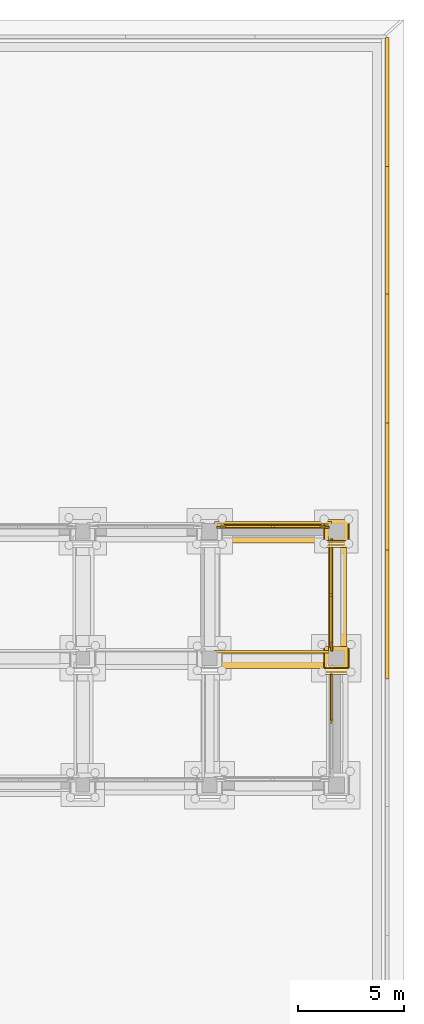
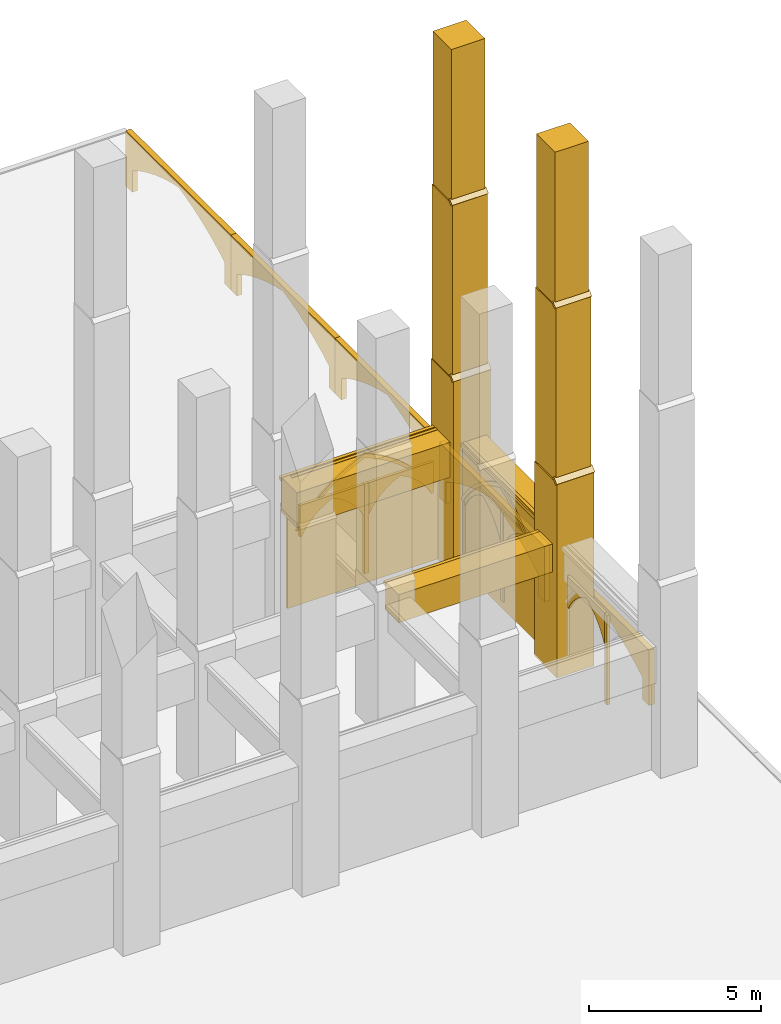
# One storey, part 133 of 135: 35 coverings.
"""IFC4 building model written with IfcOpenShell, lengths in metres."""

from ifc_helpers import new_model, si_unit, direction, frame, origin, origin_2d, place, context, subcontext, project, spatial, polyline, rectangle, outline, extrude, material, type_object, element, save


model = new_model("IFC4")

# Units and contexts
model_context = context("Model", 3, precision=1e-05, world=origin(), true_north=direction((0.0, 1.0)))
body_context = subcontext(model_context, "Body", "Model", "MODEL_VIEW")
ifc_project = project(units=[si_unit("LENGTHUNIT", "METRE"), si_unit("AREAUNIT", "SQUARE_METRE"), si_unit("VOLUMEUNIT", "CUBIC_METRE"), si_unit("PLANEANGLEUNIT", "RADIAN"), si_unit("MASSUNIT", "GRAM", prefix="KILO")], contexts=[model_context])

# Site, building, storey
site_placement = place(None, origin())
site = spatial("IfcSite", under=ifc_project, at=site_placement, CompositionType="ELEMENT")
building_placement = place(site_placement, origin())
building = spatial("IfcBuilding", under=site, at=building_placement, Name="Cumevento Cable Car Station", CompositionType="ELEMENT")
storey_placement = place(building_placement, origin())
storey = spatial("IfcBuildingStorey", under=building, at=storey_placement, Name="L01", CompositionType="ELEMENT", Elevation=0.0)

# Coverings
ifc_material = material(Name="Gnaisse Facoidal Stone Ashlar 85 MPa", Category="masonry")
covering_type = type_object("IfcCoveringType", Name="Gnaisse Ashlar Cladding CV-CL01", PredefinedType="CLADDING", material=ifc_material)
covering_1_placement = place(storey_placement, frame((166.0, 38.909912109375, -0.06005859375), z_axis=(0.0, 0.0, 1.0), x_axis=(1.0, 0.0, 0.0)))
element("IfcCovering", 1, at=covering_1_placement, inside=storey, type_object=covering_type, Name="Stepped Gothic Stone Buttress Tier 1 bt:166.0:39.0", PredefinedType="CLADDING", context=body_context, shape_type="SweptSolid", body=[
    extrude(rectangle(XDim=1.239990234375, YDim=1.300048828125, at=origin_2d()), origin(), (0.0, 0.0, 1.0), 6.885498046875),
])
covering_2_placement = place(storey_placement, frame((165.360107421875, 38.239990234375, 6.8056640625), z_axis=(0.0, -0.711135781079, 0.703054692658), x_axis=(1.0, 0.0, 0.0)))
element("IfcCovering", 2, at=covering_2_placement, inside=storey, type_object=covering_type, Name="Gothic Buttress Sloped Stone Weathering 1 bt:166.0:39.0", PredefinedType="CLADDING", context=body_context, shape_type="SweptSolid", body=[
    extrude(outline(polyline([(0.0, 0.0), (1.27978515625, 0.0), (1.27978515625, 0.24169083397703695), (0.0, 0.24169083397703695), (0.0, 0.0)])), origin(), (0.0, 0.0, -1.0), 0.090087890625),
])
covering_3_placement = place(storey_placement, frame((166.0, 38.969970703125, 6.46337890625), z_axis=(0.0, 0.0, 1.0), x_axis=(1.0, 0.0, 0.0)))
element("IfcCovering", 3, at=covering_3_placement, inside=storey, type_object=covering_type, Name="Stepped Gothic Stone Buttress Tier 2 bt:166.0:39.0", PredefinedType="CLADDING", context=body_context, shape_type="SweptSolid", body=[
    extrude(rectangle(XDim=1.179931640625, YDim=1.179931640625, at=origin_2d()), origin(), (0.0, 0.0, 1.0), 6.523193359375),
])
covering_4_placement = place(storey_placement, frame((165.389892578125, 38.360107421875, 12.96630859375), z_axis=(0.0, -0.714474823669, 0.699661151089), x_axis=(1.0, 0.0, 0.0)))
element("IfcCovering", 4, at=covering_4_placement, inside=storey, type_object=covering_type, Name="Gothic Buttress Sloped Stone Weathering 2 bt:166.0:39.0", PredefinedType="CLADDING", context=body_context, shape_type="SweptSolid", body=[
    extrude(outline(polyline([(0.0, 0.0), (1.22021484375, 0.0), (1.22021484375, 0.21424991728737655), (0.0, 0.21424991728737655), (0.0, 0.0)])), origin(), (0.0, 0.0, -1.0), 0.090087890625),
])
covering_5_placement = place(storey_placement, frame((166.0, 39.02001953125, 12.6240234375), z_axis=(0.0, 0.0, 1.0), x_axis=(1.0, 0.0, 0.0)))
element("IfcCovering", 5, at=covering_5_placement, inside=storey, type_object=covering_type, Name="Stepped Gothic Stone Buttress Tier 3 bt:166.0:39.0", PredefinedType="CLADDING", context=body_context, shape_type="SweptSolid", body=[
    extrude(rectangle(XDim=1.1201171875, YDim=1.080078125, at=origin_2d()), origin(), (0.0, 0.0, 1.0), 5.77587890625),
])
covering_6_placement = place(storey_placement, frame((166.0, 44.909912109375, -0.06005859375), z_axis=(0.0, 0.0, 1.0), x_axis=(1.0, 0.0, 0.0)))
element("IfcCovering", 6, at=covering_6_placement, inside=storey, type_object=covering_type, Name="Stepped Gothic Stone Buttress Tier 1 bt:166.0:45.0", PredefinedType="CLADDING", context=body_context, shape_type="SweptSolid", body=[
    extrude(rectangle(XDim=1.239990234375, YDim=1.300048828125, at=origin_2d()), origin(), (0.0, 0.0, 1.0), 6.885498046875),
])
covering_7_placement = place(storey_placement, frame((165.360107421875, 44.239990234375, 6.8056640625), z_axis=(0.0, -0.711135781079, 0.703054692658), x_axis=(1.0, 0.0, 0.0)))
element("IfcCovering", 7, at=covering_7_placement, inside=storey, type_object=covering_type, Name="Gothic Buttress Sloped Stone Weathering 1 bt:166.0:45.0", PredefinedType="CLADDING", context=body_context, shape_type="SweptSolid", body=[
    extrude(outline(polyline([(0.0, 0.0), (1.27978515625, 0.0), (1.27978515625, 0.24169083397703695), (0.0, 0.24169083397703695), (0.0, 0.0)])), origin(), (0.0, 0.0, -1.0), 0.090087890625),
])
covering_8_placement = place(storey_placement, frame((166.0, 44.969970703125, 6.46337890625), z_axis=(0.0, 0.0, 1.0), x_axis=(1.0, 0.0, 0.0)))
element("IfcCovering", 8, at=covering_8_placement, inside=storey, type_object=covering_type, Name="Stepped Gothic Stone Buttress Tier 2 bt:166.0:45.0", PredefinedType="CLADDING", context=body_context, shape_type="SweptSolid", body=[
    extrude(rectangle(XDim=1.179931640625, YDim=1.179931640625, at=origin_2d()), origin(), (0.0, 0.0, 1.0), 6.523193359375),
])
covering_9_placement = place(storey_placement, frame((165.389892578125, 44.360107421875, 12.96630859375), z_axis=(0.0, -0.714474823669, 0.699661151089), x_axis=(1.0, 0.0, 0.0)))
element("IfcCovering", 9, at=covering_9_placement, inside=storey, type_object=covering_type, Name="Gothic Buttress Sloped Stone Weathering 2 bt:166.0:45.0", PredefinedType="CLADDING", context=body_context, shape_type="SweptSolid", body=[
    extrude(outline(polyline([(0.0, 0.0), (1.22021484375, 0.0), (1.22021484375, 0.21424991728737655), (0.0, 0.21424991728737655), (0.0, 0.0)])), origin(), (0.0, 0.0, -1.0), 0.090087890625),
])
covering_10_placement = place(storey_placement, frame((166.0, 45.02001953125, 12.6240234375), z_axis=(0.0, 0.0, 1.0), x_axis=(1.0, 0.0, 0.0)))
element("IfcCovering", 10, at=covering_10_placement, inside=storey, type_object=covering_type, Name="Stepped Gothic Stone Buttress Tier 3 bt:166.0:45.0", PredefinedType="CLADDING", context=body_context, shape_type="SweptSolid", body=[
    extrude(rectangle(XDim=1.1201171875, YDim=1.080078125, at=origin_2d()), origin(), (0.0, 0.0, 1.0), 5.77587890625),
])
covering_11_placement = place(storey_placement, frame((162.987548828125, 38.89990234375, 3.5400390625), z_axis=(0.0, 0.0, 1.0), x_axis=(1.0, 0.0, 0.0)))
element("IfcCovering", 11, at=covering_11_placement, inside=storey, type_object=covering_type, Name="Gothic Stone Spandrel Stringcourse sc:0214", PredefinedType="CLADDING", context=body_context, shape_type="SweptSolid", body=[
    extrude(rectangle(XDim=5.514892578125, YDim=0.760009765625, at=origin_2d()), origin(), (0.0, 0.0, 1.0), 0.989990234375),
])
covering_12_placement = place(storey_placement, frame((162.987548828125, 39.3076171875, 4.400146484375), z_axis=(0.0, 0.0, 1.0), x_axis=(1.0, 0.0, 0.0)))
element("IfcCovering", 12, at=covering_12_placement, inside=storey, type_object=covering_type, Name="Gothic Cornice Dripstone Lip sc:0214", PredefinedType="CLADDING", context=body_context, shape_type="SweptSolid", body=[
    extrude(rectangle(XDim=5.554931640625, YDim=0.114990234375, at=origin_2d()), origin(), (0.0, 0.0, 1.0), 0.1298828125),
])
covering_13_placement = place(storey_placement, frame((163.0, 44.919921875, 3.2900390625), z_axis=(0.0, 0.0, 1.0), x_axis=(1.0, 0.0, 0.0)))
element("IfcCovering", 13, at=covering_13_placement, inside=storey, type_object=covering_type, Name="Gothic Stone Spandrel Stringcourse sc:0219", PredefinedType="CLADDING", context=body_context, shape_type="SweptSolid", body=[
    extrude(rectangle(XDim=5.489990234375, YDim=0.919921875, at=origin_2d()), origin(), (0.0, 0.0, 1.0), 1.239990234375),
])
covering_14_placement = place(storey_placement, frame((163.0, 45.407470703125, 4.400146484375), z_axis=(0.0, 0.0, 1.0), x_axis=(1.0, 0.0, 0.0)))
element("IfcCovering", 14, at=covering_14_placement, inside=storey, type_object=covering_type, Name="Gothic Cornice Dripstone Lip sc:0219", PredefinedType="CLADDING", context=body_context, shape_type="SweptSolid", body=[
    extrude(rectangle(XDim=5.530029296875, YDim=0.114990234375, at=origin_2d()), origin(), (0.0, 0.0, 1.0), 0.1298828125),
])
covering_15_placement = place(storey_placement, frame((166.10009765625, 42.0, 3.5400390625), z_axis=(0.0, 0.0, 1.0), x_axis=(0.0, 1.0, 0.0)))
element("IfcCovering", 15, at=covering_15_placement, inside=storey, type_object=covering_type, Name="Gothic Stone Spandrel Stringcourse sc:0229", PredefinedType="CLADDING", context=body_context, shape_type="SweptSolid", body=[
    extrude(rectangle(XDim=5.489990234375, YDim=0.760009765625, at=origin_2d()), origin(), (0.0, 0.0, 1.0), 0.989990234375),
])
covering_16_placement = place(storey_placement, frame((165.6923828125, 42.0, 4.400146484375), z_axis=(0.0, 0.0, 1.0), x_axis=(0.0, 1.0, 0.0)))
element("IfcCovering", 16, at=covering_16_placement, inside=storey, type_object=covering_type, Name="Gothic Cornice Dripstone Lip sc:0229", PredefinedType="CLADDING", context=body_context, shape_type="SweptSolid", body=[
    extrude(rectangle(XDim=5.530029296875, YDim=0.114990234375, at=origin_2d()), origin(), (0.0, 0.0, 1.0), 0.1298828125),
])
covering_17_placement = place(storey_placement, frame((160.375, 45.0, 0.0), z_axis=(0.0, 0.0, 1.0), x_axis=(1.0, 0.0, 0.0)))
element("IfcCovering", 17, at=covering_17_placement, inside=storey, type_object=covering_type, Name="Exterior Gnaisse Stone Wall Ashlar #86", PredefinedType="CLADDING", context=body_context, shape_type="SweptSolid", body=[
    extrude(outline(polyline([(-0.0400390625, -0.02001953125), (5.2900390625, -0.02001953125), (5.2900390625, 4.52001953125), (-0.0400390625, 4.52001953125), (-0.0400390625, -0.02001953125)])), frame((0.0, 0.237548828125, 0.0), z_axis=(0.0, -1.0, 0.0), x_axis=(1.0, 0.0, 0.0)), (0.0, 0.0, 1.0), 0.0849609375),
])
placement_1 = place(storey_placement, frame((160.554931640625, 45.0, 0.300048828125), z_axis=(0.0, 0.0, 1.0), x_axis=(1.0, 0.0, 0.0)))
element("IfcCovering", 18, at=placement_1, inside=storey, type_object=covering_type, Name="Gothic Ogival Pointed-Arch Stone Spandrel blind_ogival:0086", PredefinedType="CLADDING", context=body_context, shape_type="SweptSolid", body=[
    extrude(outline(polyline([(-0.050048828125, 0.0), (-0.050048828125, 4.239990234375), (4.93994140625, 4.239990234375), (4.93994140625, 0.0), (4.6298828125, 0.0), (4.6298828125, 2.219970703125), (4.394287109375, 2.556884765625), (4.12939453125, 2.871337890625), (3.8369140625, 3.160400390625), (3.51953125, 3.421630859375), (3.179931640625, 3.6533203125), (2.82080078125, 3.853271484375), (2.445068359375, 4.02001953125), (2.069091796875, 3.853271484375), (1.7099609375, 3.6533203125), (1.370361328125, 3.421630859375), (1.052978515625, 3.160400390625), (0.760498046875, 2.871337890625), (0.49560546875, 2.556884765625), (0.260009765625, 2.219970703125), (0.260009765625, 0.0), (-0.050048828125, 0.0)])), frame((0.0, 0.29248046875, 0.0), z_axis=(0.0, -1.0, 0.0), x_axis=(1.0, 0.0, 0.0)), (0.0, 0.0, 1.0), 0.110107421875),
])
covering_19_placement = place(storey_placement, frame((160.554931640625, 45.0, 2.52001953125), z_axis=(0.0, 0.0, 1.0), x_axis=(1.0, 0.0, 0.0)))
element("IfcCovering", 19, at=covering_19_placement, inside=storey, type_object=covering_type, Name="Gothic Pointed Archivolt Hood Moulding blind_ogival:0086", PredefinedType="CLADDING", context=body_context, shape_type="SweptSolid", body=[
    extrude(outline(polyline([(0.260009765625, 0.0), (0.49560546875, 0.3369140625), (0.760498046875, 0.6513671875), (1.052978515625, 0.9404296875), (1.370361328125, 1.20166015625), (1.7099609375, 1.433349609375), (2.069091796875, 1.63330078125), (2.445068359375, 1.800048828125), (2.82080078125, 1.63330078125), (3.179931640625, 1.433349609375), (3.51953125, 1.20166015625), (3.8369140625, 0.9404296875), (4.12939453125, 0.6513671875), (4.394287109375, 0.3369140625), (4.6298828125, 0.0), (4.7509765625, 0.0), (4.506103515625, 0.3642578125), (4.228759765625, 0.70458984375), (3.921142578125, 1.017822265625), (3.5859375, 1.301513671875), (3.226318359375, 1.552978515625), (2.8447265625, 1.77001953125), (2.445068359375, 1.951171875), (2.045166015625, 1.77001953125), (1.66357421875, 1.552978515625), (1.303955078125, 1.301513671875), (0.96875, 1.017822265625), (0.6611328125, 0.70458984375), (0.3837890625, 0.3642578125), (0.138916015625, 0.0), (0.260009765625, 0.0)])), frame((0.0, 0.33447265625, 0.0), z_axis=(0.0, -1.0, 0.0), x_axis=(1.0, 0.0, 0.0)), (0.0, 0.0, 1.0), 0.06689453125),
])
element("IfcCovering", 20, at=placement_1, inside=storey, type_object=covering_type, Name="Gothic Bifora Stone Colonnette blind_ogival:0086 #1", PredefinedType="CLADDING", context=body_context, shape_type="SweptSolid", body=[
    extrude(outline(polyline([(2.3701171875, -0.02001953125), (2.52001953125, -0.02001953125), (2.52001953125, 3.156005859375), (2.3701171875, 3.156005859375), (2.3701171875, -0.02001953125)])), frame((0.0, 0.280517578125, 0.0), z_axis=(0.0, -1.0, 0.0), x_axis=(1.0, 0.0, 0.0)), (0.0, 0.0, 1.0), 0.094970703125),
])
for number, where, z_axis, x_axis, name in (
    (21, (160.784912109375, 45.0, 2.340087890625), (0.0, 0.0, 1.0), (1.0, 0.0, 0.0), "Gothic Ogival Pointed-Arch Stone Spandrel blind_ogival:0086:sub:0"),
    (22, (163.044921875, 45.0, 2.340087890625), (0.0, 0.0, 1.0), (1.0, 0.0, 0.0), "Gothic Ogival Pointed-Arch Stone Spandrel blind_ogival:0086:sub:1"),
):
    element("IfcCovering", number, at=place(storey_placement, frame(where, z_axis=z_axis, x_axis=x_axis)), inside=storey, type_object=covering_type, Name=name, PredefinedType="CLADDING", context=body_context, shape_type="SweptSolid", body=[
        extrude(outline(polyline([(-0.02001953125, 0.0), (-0.02001953125, 1.115966796875), (2.18994140625, 1.115966796875), (2.18994140625, 0.0), (2.1298828125, 0.0), (2.008544921875, 0.21337890625), (1.863037109375, 0.4111328125), (1.695556640625, 0.59033203125), (1.50830078125, 0.7490234375), (1.3037109375, 0.885009765625), (1.0849609375, 0.99609375), (0.8662109375, 0.885009765625), (0.66162109375, 0.7490234375), (0.474365234375, 0.59033203125), (0.306884765625, 0.4111328125), (0.161376953125, 0.21337890625), (0.0400390625, 0.0), (-0.02001953125, 0.0)])), frame((0.0, 0.276611328125, 0.0), z_axis=(0.0, -1.0, 0.0), x_axis=(1.0, 0.0, 0.0)), (0.0, 0.0, 1.0), 0.090087890625),
    ])
covering_21_placement = place(storey_placement, frame((166.0, 33.554931640625, 0.300048828125), z_axis=(0.0, 0.0, 1.0), x_axis=(0.0, 1.0, 0.0)))
element("IfcCovering", 23, at=covering_21_placement, inside=storey, type_object=covering_type, Name="Gothic Bifora Stone Colonnette blind_ogival:0087 #1", PredefinedType="CLADDING", context=body_context, shape_type="SweptSolid", body=[
    extrude(outline(polyline([(2.3701171875, -0.02001953125), (2.52001953125, -0.02001953125), (2.52001953125, 3.156005859375), (2.3701171875, 3.156005859375), (2.3701171875, -0.02001953125)])), frame((0.0, 0.29296875, 0.0), z_axis=(0.0, -1.0, 0.0), x_axis=(1.0, 0.0, 0.0)), (0.0, 0.0, 1.0), 0.094970703125),
])
covering_22_placement = place(storey_placement, frame((166.0, 36.044921875, 2.340087890625), z_axis=(0.0, 0.0, 1.0), x_axis=(0.0, 1.0, 0.0)))
element("IfcCovering", 24, at=covering_22_placement, inside=storey, type_object=covering_type, Name="Gothic Ogival Pointed-Arch Stone Spandrel blind_ogival:0087:sub:1", PredefinedType="CLADDING", context=body_context, shape_type="SweptSolid", body=[
    extrude(outline(polyline([(-0.02001953125, 0.0), (-0.02001953125, 1.115966796875), (2.18994140625, 1.115966796875), (2.18994140625, 0.0), (2.1298828125, 0.0), (2.008544921875, 0.21337890625), (1.863037109375, 0.4111328125), (1.695556640625, 0.59033203125), (1.50830078125, 0.7490234375), (1.3037109375, 0.885009765625), (1.0849609375, 0.99609375), (0.8662109375, 0.885009765625), (0.66162109375, 0.7490234375), (0.474365234375, 0.59033203125), (0.306884765625, 0.4111328125), (0.161376953125, 0.21337890625), (0.0400390625, 0.0), (-0.02001953125, 0.0)])), frame((0.0, 0.2890625, 0.0), z_axis=(0.0, -1.0, 0.0), x_axis=(1.0, 0.0, 0.0)), (0.0, 0.0, 1.0), 0.090087890625),
])
covering_23_placement = place(storey_placement, frame((166.0, 39.375, 0.0), z_axis=(0.0, 0.0, 1.0), x_axis=(0.0, 1.0, 0.0)))
element("IfcCovering", 25, at=covering_23_placement, inside=storey, type_object=covering_type, Name="Exterior Gnaisse Stone Wall Ashlar #88", PredefinedType="CLADDING", context=body_context, shape_type="SweptSolid", body=[
    extrude(outline(polyline([(-0.0400390625, -0.02001953125), (5.2900390625, -0.02001953125), (5.2900390625, 4.52001953125), (-0.0400390625, 4.52001953125), (-0.0400390625, -0.02001953125)])), frame((0.0, 0.262451171875, 0.0), z_axis=(0.0, -1.0, 0.0), x_axis=(1.0, 0.0, 0.0)), (0.0, 0.0, 1.0), 0.0849609375),
])
placement_2 = place(storey_placement, frame((166.0, 39.554931640625, 0.300048828125), z_axis=(0.0, 0.0, 1.0), x_axis=(0.0, 1.0, 0.0)))
element("IfcCovering", 26, at=placement_2, inside=storey, type_object=covering_type, Name="Gothic Ogival Pointed-Arch Stone Spandrel blind_ogival:0088", PredefinedType="CLADDING", context=body_context, shape_type="SweptSolid", body=[
    extrude(outline(polyline([(-0.050048828125, 0.0), (-0.050048828125, 4.239990234375), (4.93994140625, 4.239990234375), (4.93994140625, 0.0), (4.6298828125, 0.0), (4.6298828125, 2.219970703125), (4.394287109375, 2.556884765625), (4.12939453125, 2.871337890625), (3.8369140625, 3.160400390625), (3.51953125, 3.421630859375), (3.179931640625, 3.6533203125), (2.82080078125, 3.853271484375), (2.445068359375, 4.02001953125), (2.069091796875, 3.853271484375), (1.7099609375, 3.6533203125), (1.370361328125, 3.421630859375), (1.052978515625, 3.160400390625), (0.760498046875, 2.871337890625), (0.49560546875, 2.556884765625), (0.260009765625, 2.219970703125), (0.260009765625, 0.0), (-0.050048828125, 0.0)])), frame((0.0, 0.3173828125, 0.0), z_axis=(0.0, -1.0, 0.0), x_axis=(1.0, 0.0, 0.0)), (0.0, 0.0, 1.0), 0.110107421875),
])
covering_25_placement = place(storey_placement, frame((166.0, 39.554931640625, 2.52001953125), z_axis=(0.0, 0.0, 1.0), x_axis=(0.0, 1.0, 0.0)))
element("IfcCovering", 27, at=covering_25_placement, inside=storey, type_object=covering_type, Name="Gothic Pointed Archivolt Hood Moulding blind_ogival:0088", PredefinedType="CLADDING", context=body_context, shape_type="SweptSolid", body=[
    extrude(outline(polyline([(0.260009765625, 0.0), (0.49560546875, 0.3369140625), (0.760498046875, 0.6513671875), (1.052978515625, 0.9404296875), (1.370361328125, 1.20166015625), (1.7099609375, 1.433349609375), (2.069091796875, 1.63330078125), (2.445068359375, 1.800048828125), (2.82080078125, 1.63330078125), (3.179931640625, 1.433349609375), (3.51953125, 1.20166015625), (3.8369140625, 0.9404296875), (4.12939453125, 0.6513671875), (4.394287109375, 0.3369140625), (4.6298828125, 0.0), (4.7509765625, 0.0), (4.506103515625, 0.3642578125), (4.228759765625, 0.70458984375), (3.921142578125, 1.017822265625), (3.5859375, 1.301513671875), (3.226318359375, 1.552978515625), (2.8447265625, 1.77001953125), (2.445068359375, 1.951171875), (2.045166015625, 1.77001953125), (1.66357421875, 1.552978515625), (1.303955078125, 1.301513671875), (0.96875, 1.017822265625), (0.6611328125, 0.70458984375), (0.3837890625, 0.3642578125), (0.138916015625, 0.0), (0.260009765625, 0.0)])), frame((0.0, 0.359619140625, 0.0), z_axis=(0.0, -1.0, 0.0), x_axis=(1.0, 0.0, 0.0)), (0.0, 0.0, 1.0), 0.06689453125),
])
element("IfcCovering", 28, at=placement_2, inside=storey, type_object=covering_type, Name="Gothic Bifora Stone Colonnette blind_ogival:0088 #1", PredefinedType="CLADDING", context=body_context, shape_type="SweptSolid", body=[
    extrude(outline(polyline([(2.3701171875, -0.02001953125), (2.52001953125, -0.02001953125), (2.52001953125, 3.156005859375), (2.3701171875, 3.156005859375), (2.3701171875, -0.02001953125)])), frame((0.0, 0.305419921875, 0.0), z_axis=(0.0, -1.0, 0.0), x_axis=(1.0, 0.0, 0.0)), (0.0, 0.0, 1.0), 0.094970703125),
])
for number, where, z_axis, x_axis, name in (
    (29, (166.0, 39.784912109375, 2.340087890625), (0.0, 0.0, 1.0), (0.0, 1.0, 0.0), "Gothic Ogival Pointed-Arch Stone Spandrel blind_ogival:0088:sub:0"),
    (30, (166.0, 42.044921875, 2.340087890625), (0.0, 0.0, 1.0), (0.0, 1.0, 0.0), "Gothic Ogival Pointed-Arch Stone Spandrel blind_ogival:0088:sub:1"),
):
    element("IfcCovering", number, at=place(storey_placement, frame(where, z_axis=z_axis, x_axis=x_axis)), inside=storey, type_object=covering_type, Name=name, PredefinedType="CLADDING", context=body_context, shape_type="SweptSolid", body=[
        extrude(outline(polyline([(-0.02001953125, 0.0), (-0.02001953125, 1.115966796875), (2.18994140625, 1.115966796875), (2.18994140625, 0.0), (2.1298828125, 0.0), (2.008544921875, 0.21337890625), (1.863037109375, 0.4111328125), (1.695556640625, 0.59033203125), (1.50830078125, 0.7490234375), (1.3037109375, 0.885009765625), (1.0849609375, 0.99609375), (0.8662109375, 0.885009765625), (0.66162109375, 0.7490234375), (0.474365234375, 0.59033203125), (0.306884765625, 0.4111328125), (0.161376953125, 0.21337890625), (0.0400390625, 0.0), (-0.02001953125, 0.0)])), frame((0.0, 0.301513671875, 0.0), z_axis=(0.0, -1.0, 0.0), x_axis=(1.0, 0.0, 0.0)), (0.0, 0.0, 1.0), 0.090087890625),
    ])
for number, where, z_axis, x_axis, name in (
    (31, (168.35009765625, 44.095458984375, -1.919921875), (0.0, 0.0, 1.0), (0.0, -1.0, 0.0), "Gothic Ogival Pointed-Arch Stone Spandrel cumevento_plinth:plinth_arch:E:6"),
    (32, (168.35009765625, 50.1591796875, -1.919921875), (0.0, 0.0, 1.0), (0.0, -1.0, 0.0), "Gothic Ogival Pointed-Arch Stone Spandrel cumevento_plinth:plinth_arch:E:7"),
    (33, (168.35009765625, 56.22265625, -1.919921875), (0.0, 0.0, 1.0), (0.0, -1.0, 0.0), "Gothic Ogival Pointed-Arch Stone Spandrel cumevento_plinth:plinth_arch:E:8"),
    (34, (168.35009765625, 62.286376953125, -1.919921875), (0.0, 0.0, 1.0), (0.0, -1.0, 0.0), "Gothic Ogival Pointed-Arch Stone Spandrel cumevento_plinth:plinth_arch:E:9"),
    (35, (168.35009765625, 68.35009765625, -1.919921875), (0.0, 0.0, 1.0), (0.0, -1.0, 0.0), "Gothic Ogival Pointed-Arch Stone Spandrel cumevento_plinth:plinth_arch:E:10"),
):
    element("IfcCovering", number, at=place(storey_placement, frame(where, z_axis=z_axis, x_axis=x_axis)), inside=storey, type_object=covering_type, Name=name, PredefinedType="CLADDING", context=body_context, shape_type="SweptSolid", body=[
        extrude(outline(polyline([(-0.02001953125, 0.0), (-0.02001953125, 1.9599609375), (6.083740234375, 1.9599609375), (6.083740234375, 0.0), (5.70361328125, 0.0), (5.70361328125, 0.77001953125), (5.284912109375, 1.003662109375), (4.853759765625, 1.21337890625), (4.41162109375, 1.3984375), (3.95947265625, 1.55810546875), (3.4990234375, 1.692138671875), (3.03173828125, 1.800048828125), (2.564697265625, 1.692138671875), (2.104248046875, 1.55810546875), (1.652099609375, 1.3984375), (1.2099609375, 1.21337890625), (0.77880859375, 1.003662109375), (0.360107421875, 0.77001953125), (0.360107421875, 0.0), (-0.02001953125, 0.0)])), frame((0.0, 0.14990234375, 0.0), z_axis=(0.0, -1.0, 0.0), x_axis=(1.0, 0.0, 0.0)), (0.0, 0.0, 1.0), 0.179931640625),
    ])

save(model, "model.ifc")
